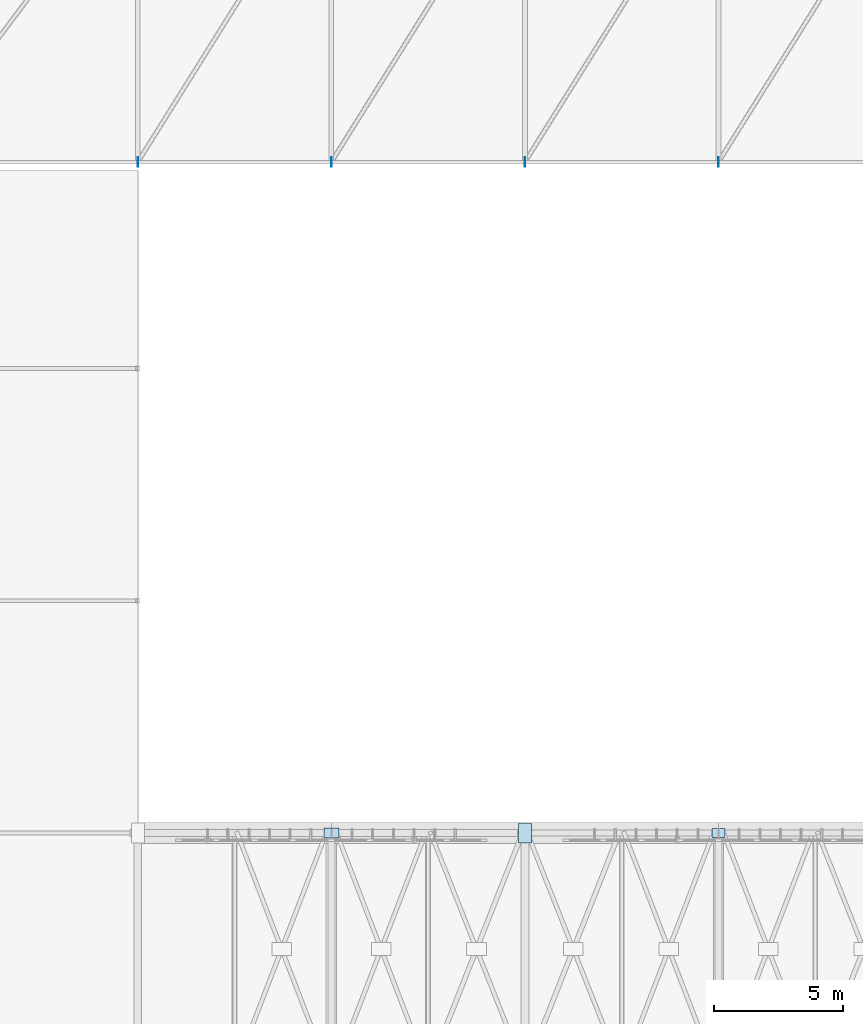
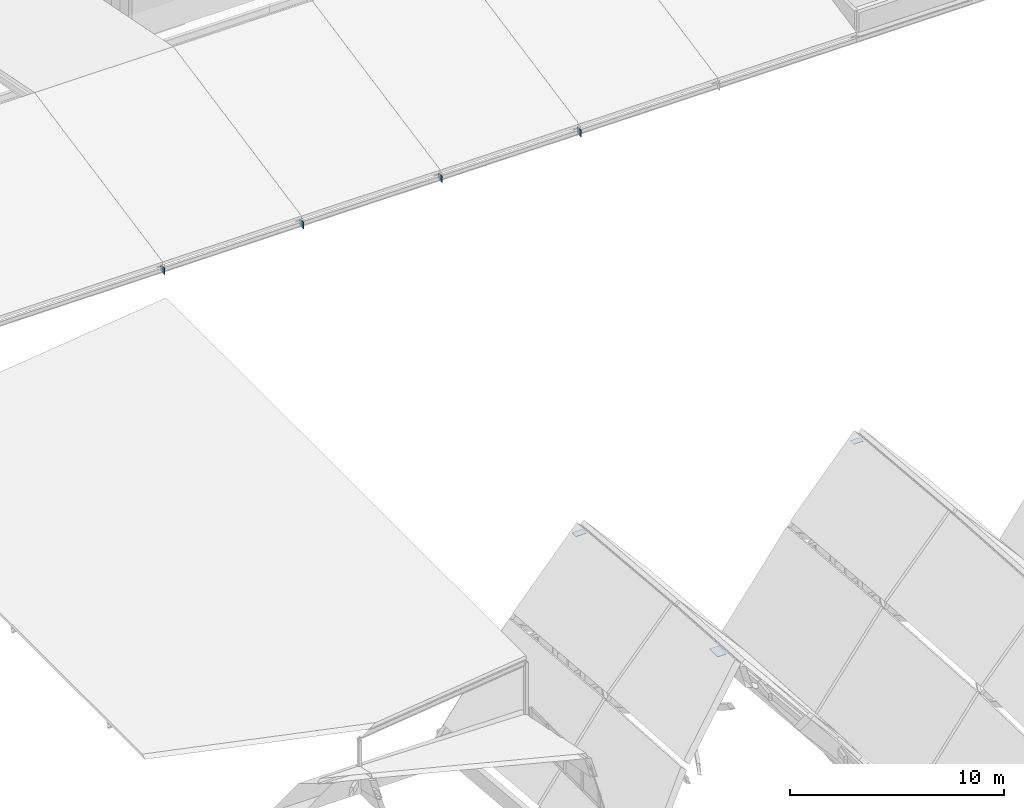
# One storey, part 70 of 93: 7 plates.
"""IFC4 building model written with IfcOpenShell, lengths in metres."""

from ifc_helpers import new_model, si_unit, direction, frame, origin, origin_2d, place, context, subcontext, project, spatial, rectangle, extrude, material, layer, layer_set, type_object, element, save


model = new_model("IFC4")

# Units and contexts
model_context = context("Model", 3, precision=1e-05, world=origin(), true_north=direction((0.0, 1.0)))
body_context = subcontext(model_context, "Body", "Model", "MODEL_VIEW")
ifc_project = project(units=[si_unit("LENGTHUNIT", "METRE"), si_unit("AREAUNIT", "SQUARE_METRE"), si_unit("VOLUMEUNIT", "CUBIC_METRE"), si_unit("PLANEANGLEUNIT", "RADIAN"), si_unit("MASSUNIT", "GRAM", prefix="KILO")], contexts=[model_context])

# Site, building, storey
site_placement = place(None, origin())
site = spatial("IfcSite", under=ifc_project, at=site_placement, CompositionType="ELEMENT")
building_placement = place(site_placement, origin())
building = spatial("IfcBuilding", under=site, at=building_placement, Name="Vourika Railside Aquatics Centre", CompositionType="ELEMENT")
storey_placement = place(building_placement, frame((0.0, 0.0, 21.89990234375)))
storey = spatial("IfcBuildingStorey", under=building, at=storey_placement, Name="Roof", CompositionType="ELEMENT", Elevation=21.89990234375)

# Plates
ifc_material_1 = material(Name="Steel S355J2", Category="steel")
ifc_layer_1 = layer(ifc_material_1, 0.3798828125, Name="PLT-ECAP-22x380x380")
ifc_layer_set_1 = layer_set([ifc_layer_1], Name="Steel S355J2")
plate_type_1 = type_object("IfcPlateType", Name="PLT-ECAP-22x380x380", PredefinedType="USERDEFINED", material=ifc_layer_set_1)
for number, where, z_axis, x_axis, name in (
    (1, (36.0, 92.0, -0.56982421875), (0.0, 0.0, 1.0), (1.0, 0.0, 0.0), "Steel Brace End Knife Plate BP-0367"),
    (2, (43.5, 92.0, -0.56982421875), (0.0, 0.0, 1.0), (1.0, 0.0, 0.0), "Steel Brace End Knife Plate BP-0370"),
    (3, (51.0, 92.0, -0.56982421875), (0.0, 0.0, 1.0), (1.0, 0.0, 0.0), "Steel Brace End Knife Plate BP-0373"),
    (4, (58.5, 92.0, -0.56982421875), (0.0, 0.0, 1.0), (1.0, 0.0, 0.0), "Steel Brace End Knife Plate BP-0376"),
):
    element("IfcPlate", number, at=place(storey_placement, frame(where, z_axis=z_axis, x_axis=x_axis)), inside=storey, type_object=plate_type_1, Name=name, ObjectType="BASE PLATE", PredefinedType="USERDEFINED", context=body_context, shape_type="SweptSolid", body=[
        extrude(rectangle(XDim=0.02197265625, YDim=0.3798828125, at=origin_2d()), origin(), (0.0, 0.0, 1.0), 0.3798828125),
    ])
ifc_material_2 = material(Name="Duplex stainless steel EN 1.4462", Category="steel")
ifc_layer_2 = layer(ifc_material_2, 0.02001953125, Name="PLT-RIDGE-520x340x20")
ifc_layer_set_2 = layer_set([ifc_layer_2], Name="Duplex stainless steel EN 1.4462")
plate_type_2 = type_object("IfcPlateType", Name="PLT-RIDGE-520x340x20", PredefinedType="USERDEFINED", material=ifc_layer_set_2)
plate_1_placement = place(storey_placement, frame((58.5, 66.0, -2.309814453125), z_axis=(0.0, 0.0, 1.0), x_axis=(1.0, 0.0, 0.0)))
element("IfcPlate", 5, at=plate_1_placement, inside=storey, type_object=plate_type_2, Name="Stainless Vault Ridge Gusset Plate SN-140", ObjectType="GUSSET PLATE", PredefinedType="USERDEFINED", context=body_context, shape_type="SweptSolid", body=[
    extrude(rectangle(XDim=0.52001953125, YDim=0.340087890625, at=origin_2d()), origin(), (0.0, 0.0, 1.0), 0.02001953125),
])
ifc_layer_3 = layer(ifc_material_2, 0.02490234375, Name="PLT-RIDGE-580x380x25")
ifc_layer_set_3 = layer_set([ifc_layer_3], Name="Duplex stainless steel EN 1.4462")
plate_type_3 = type_object("IfcPlateType", Name="PLT-RIDGE-580x380x25", PredefinedType="USERDEFINED", material=ifc_layer_set_3)
plate_2_placement = place(storey_placement, frame((43.5, 66.0, -2.312255859375), z_axis=(0.0, 0.0, 1.0), x_axis=(1.0, 0.0, 0.0)))
element("IfcPlate", 6, at=plate_2_placement, inside=storey, type_object=plate_type_3, Name="Stainless Vault Ridge Gusset Plate SN-114", ObjectType="GUSSET PLATE", PredefinedType="USERDEFINED", context=body_context, shape_type="SweptSolid", body=[
    extrude(rectangle(XDim=0.580078125, YDim=0.3798828125, at=origin_2d()), origin(), (0.0, 0.0, 1.0), 0.02490234375),
])
ifc_layer_4 = layer(ifc_material_2, 0.028076171875, Name="PLT-VAL-760x500x28")
ifc_layer_set_4 = layer_set([ifc_layer_4], Name="Duplex stainless steel EN 1.4462")
plate_type_4 = type_object("IfcPlateType", Name="PLT-VAL-760x500x28", PredefinedType="USERDEFINED", material=ifc_layer_set_4)
plate_3_placement = place(storey_placement, frame((51.0, 66.0, -11.7138671875), z_axis=(0.0, 0.0, 1.0), x_axis=(0.0, 1.0, 0.0)))
element("IfcPlate", 7, at=plate_3_placement, inside=storey, type_object=plate_type_4, Name="Stainless Valley Truss Gusset SN-071", ObjectType="GUSSET PLATE", PredefinedType="USERDEFINED", context=body_context, shape_type="SweptSolid", body=[
    extrude(rectangle(XDim=0.760009765625, YDim=0.5, at=origin_2d()), origin(), (0.0, 0.0, 1.0), 0.028076171875),
])

save(model, "model.ifc")
